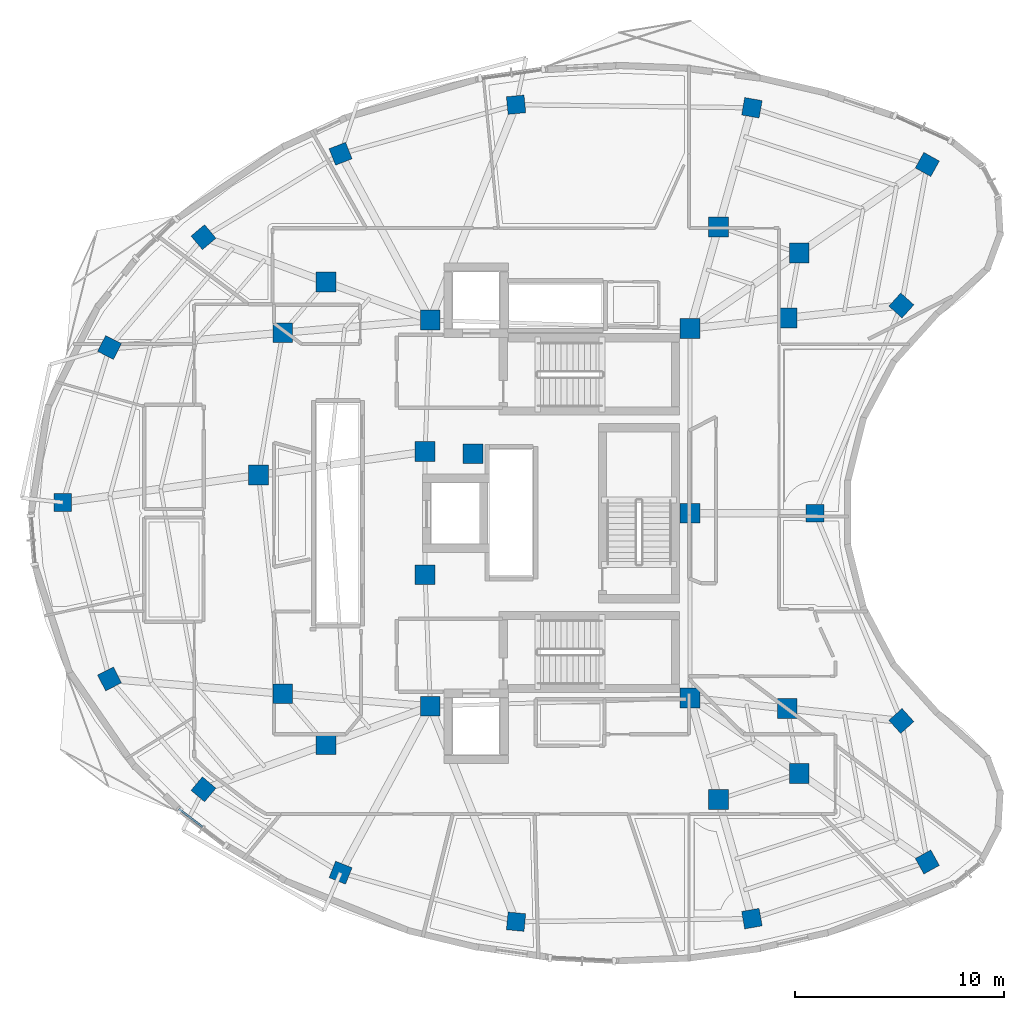
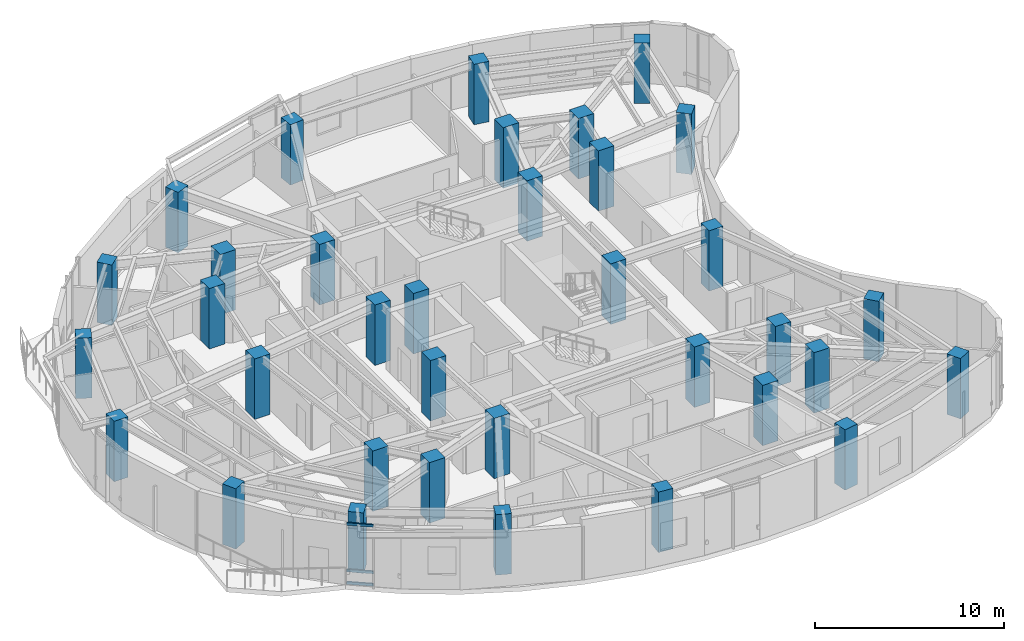
# One storey, part 1 of 14: 35 columns, 3 members, 1 element without a shape of its own.
"""IFC4 building model written with IfcOpenShell, lengths in metres."""

from ifc_helpers import new_model, si_unit, direction, frame, origin, origin_2d, place, context, subcontext, project, spatial, rectangle, extrude, material, layer, layer_set, material_profile, profile_set, type_object, element, aggregate, save


model = new_model("IFC4")

# Units and contexts
model_context = context("Model", 3, precision=1e-05, world=origin(), true_north=direction((0.0, 1.0)))
body_context = subcontext(model_context, "Body", "Model", "MODEL_VIEW")
ifc_project = project(units=[si_unit("LENGTHUNIT", "METRE"), si_unit("AREAUNIT", "SQUARE_METRE"), si_unit("VOLUMEUNIT", "CUBIC_METRE"), si_unit("PLANEANGLEUNIT", "RADIAN"), si_unit("MASSUNIT", "GRAM", prefix="KILO")], contexts=[model_context])

# Site, building, storey
site_placement = place(None, origin())
site = spatial("IfcSite", under=ifc_project, at=site_placement, CompositionType="ELEMENT")
building_placement = place(site_placement, origin())
building = spatial("IfcBuilding", under=site, at=building_placement, Name="Korentha Bioscience Tower", CompositionType="ELEMENT")
storey_placement = place(building_placement, frame((0.0, 0.0, 252.0)))
storey = spatial("IfcBuildingStorey", under=building, at=storey_placement, Name="L58", CompositionType="ELEMENT", Elevation=252.0)

# Columns
ifc_material_1 = material(Name="Concrete C65", Category="concrete")
ifc_material_profile_1 = material_profile(ifc_material_1, rectangle(XDim=0.949951171875, YDim=0.949951171875, at=origin_2d()), Name="Concrete C65")
ifc_profile_set_1 = profile_set([ifc_material_profile_1], Name="Concrete C65 (COL-CP09)")
column_type_1 = type_object("IfcColumnType", Name="Core Pilaster Column RC 950x950", PredefinedType="PILASTER", material=ifc_profile_set_1)
for number, where, z_axis, x_axis, name in (
    (1, (37.550048828125, 35.85009765625, -0.00048828125), (0.0, 0.0, 1.0), (1.0, 0.0, 0.0), "L58 Core Pilaster CP-01"),
    (2, (25.10009765625, 36.25, -0.00048828125), (0.0, 0.0, 1.0), (1.0, 0.0, 0.0), "L58 Core Pilaster CP-02"),
    (3, (24.85009765625, 29.949951171875, -0.00048828125), (0.0, 0.0, 1.0), (1.0, 0.0, 0.0), "L58 Core Pilaster CP-03"),
    (4, (27.14990234375, 29.85009765625, -0.00048828125), (0.0, 0.0, 1.0), (1.0, 0.0, 0.0), "L58 Core Pilaster CP-04"),
    (5, (24.85009765625, 24.050048828125, -0.00048828125), (0.0, 0.0, 1.0), (1.0, 0.0, 0.0), "L58 Core Pilaster CP-05"),
    (6, (25.10009765625, 17.75, -0.00048828125), (0.0, 0.0, 1.0), (1.0, 0.0, 0.0), "L58 Core Pilaster CP-06"),
    (7, (37.550048828125, 18.14990234375, -0.00048828125), (0.0, 0.0, 1.0), (1.0, 0.0, 0.0), "L58 Core Pilaster CP-07"),
    (8, (37.550048828125, 27.0, -0.00048828125), (0.0, 0.0, 1.0), (1.0, 0.0, 0.0), "L58 Core Pilaster CP-08"),
):
    element("IfcColumn", number, at=place(storey_placement, frame(where, z_axis=z_axis, x_axis=x_axis)), inside=storey, type_object=column_type_1, Name=name, PredefinedType="PILASTER", context=body_context, shape_type="SweptSolid", body=[
        extrude(rectangle(XDim=0.949951171875, YDim=0.949951171875, at=origin_2d()), origin(), (0.0, 0.0, 1.0), 3.90087890625),
    ])
ifc_material_profile_2 = material_profile(ifc_material_1, rectangle(XDim=0.949951171875, YDim=0.949951171875, at=origin_2d()), Name="Concrete C65")
ifc_profile_set_2 = profile_set([ifc_material_profile_2], Name="Concrete C65 (COL-MR09)")
column_type_2 = type_object("IfcColumnType", Name="Mid-Ring Lab Column RC 950x950", PredefinedType="COLUMN", material=ifc_profile_set_2)
for number, where, z_axis, x_axis, name in (
    (9, (42.77685546875, 39.464599609375, -0.00048828125), (0.0, 0.0, 1.0), (1.0, 0.0, 0.0), "L58 Mid-Ring Column 01"),
    (10, (38.9111328125, 40.714111328125, -0.00048828125), (0.0, 0.0, 1.0), (1.0, 0.0, 0.0), "L58 Mid-Ring Column 02"),
    (11, (20.102294921875, 38.07861328125, -0.00048828125), (0.0, 0.0, 1.0), (1.0, 0.0, 0.0), "L58 Mid-Ring Column 05"),
    (12, (18.03125, 35.6474609375, -0.00048828125), (0.0, 0.0, 1.0), (1.0, 0.0, 0.0), "L58 Mid-Ring Column 06"),
    (13, (16.868408203125, 28.830322265625, -0.00048828125), (0.0, 0.0, 1.0), (1.0, 0.0, 0.0), "L58 Mid-Ring Column 07"),
    (14, (18.03125, 18.3525390625, -0.00048828125), (0.0, 0.0, 1.0), (1.0, 0.0, 0.0), "L58 Mid-Ring Column 08"),
    (15, (20.102294921875, 15.92138671875, -0.00048828125), (0.0, 0.0, 1.0), (1.0, 0.0, 0.0), "L58 Mid-Ring Column 09"),
    (16, (38.9111328125, 13.285888671875, -0.00048828125), (0.0, 0.0, 1.0), (1.0, 0.0, 0.0), "L58 Mid-Ring Column 12"),
    (17, (42.77685546875, 14.535400390625, -0.00048828125), (0.0, 0.0, 1.0), (1.0, 0.0, 0.0), "L58 Mid-Ring Column 13"),
    (18, (42.205078125, 17.642822265625, -0.00048828125), (0.0, 0.0, 1.0), (1.0, 0.0, 0.0), "L58 Mid-Ring Column 14"),
    (19, (42.205078125, 36.357177734375, -0.00048828125), (0.0, 0.0, 1.0), (1.0, 0.0, 0.0), "L58 Mid-Ring Column 16"),
):
    element("IfcColumn", number, at=place(storey_placement, frame(where, z_axis=z_axis, x_axis=x_axis)), inside=storey, type_object=column_type_2, Name=name, PredefinedType="COLUMN", context=body_context, shape_type="SweptSolid", body=[
        extrude(rectangle(XDim=0.949951171875, YDim=0.949951171875, at=origin_2d()), origin(), (0.0, 0.0, 1.0), 3.90087890625),
    ])
ifc_material_2 = material(Name="Concrete C50", Category="concrete")
ifc_material_profile_3 = material_profile(ifc_material_2, rectangle(XDim=0.85009765625, YDim=0.85009765625, at=origin_2d()), Name="Concrete C50")
ifc_profile_set_3 = profile_set([ifc_material_profile_3], Name="Concrete C50 (COL-P08)")
column_type_3 = type_object("IfcColumnType", Name="Perimeter Column RC 850x850", PredefinedType="COLUMN", material=ifc_profile_set_3)
for number, where, z_axis, x_axis, name in (
    (20, (48.912841796875, 43.707763671875, -0.00048828125), (0.0, 0.0, 1.0), (-0.874535078577, 0.484962262797, 0.0), "L58 Perimeter Column 01"),
    (21, (40.5087890625, 46.423828125, -0.00048828125), (0.0, 0.0, 1.0), (-0.984868307662, 0.173304404339, 0.0), "L58 Perimeter Column 02"),
    (22, (29.209716796875, 46.57080078125, -0.00048828125), (0.0, 0.0, 1.0), (0.995462868748, 0.095150811579, 0.0), "L58 Perimeter Column 03"),
    (23, (20.802978515625, 44.220458984375, -0.00048828125), (0.0, 0.0, 1.0), (0.930225540858, 0.366988341962, 0.0), "L58 Perimeter Column 04"),
    (24, (14.2353515625, 40.225341796875, -0.00048828125), (0.0, 0.0, 1.0), (0.764246456939, 0.644924300253, 0.0), "L58 Perimeter Column 05"),
    (25, (9.7333984375, 34.93994140625, -0.00048828125), (0.0, 0.0, 1.0), (0.453057191132, 0.891481453292, 0.0), "L58 Perimeter Column 06"),
    (26, (7.4990234375, 27.51611328125, -0.00048828125), (0.0, 0.0, 1.0), (0.0, 1.0, 0.0), "L58 Perimeter Column 07"),
    (27, (9.7333984375, 19.06005859375, -0.00048828125), (0.0, 0.0, 1.0), (-0.453057191132, 0.891481453292, 0.0), "L58 Perimeter Column 08"),
    (28, (14.2353515625, 13.774658203125, -0.00048828125), (0.0, 0.0, 1.0), (-0.764246456939, 0.644924300253, 0.0), "L58 Perimeter Column 09"),
    (29, (20.802978515625, 9.779541015625, -0.00048828125), (0.0, 0.0, 1.0), (-0.930225540858, 0.366988341962, 0.0), "L58 Perimeter Column 10"),
    (30, (29.209716796875, 7.42919921875, -0.00048828125), (0.0, 0.0, 1.0), (-0.995462868748, 0.095150811579, 0.0), "L58 Perimeter Column 11"),
    (31, (40.5087890625, 7.576171875, -0.00048828125), (0.0, 0.0, 1.0), (0.984868307662, 0.173304404339, 0.0), "L58 Perimeter Column 12"),
    (32, (48.912841796875, 10.292236328125, -0.00048828125), (0.0, 0.0, 1.0), (0.874535078577, 0.484962262797, 0.0), "L58 Perimeter Column 13"),
    (33, (47.669921875, 17.04736328125, -0.00048828125), (0.0, 0.0, 1.0), (-0.669130606359, 0.743144825477, 0.0), "L58 Perimeter Column 14"),
    (34, (43.536865234375, 27.0, -0.00048828125), (0.0, 0.0, 1.0), (0.0, 1.0, 0.0), "L58 Perimeter Column 15"),
    (35, (47.669921875, 36.95263671875, -0.00048828125), (0.0, 0.0, 1.0), (0.669130606359, 0.743144825477, 0.0), "L58 Perimeter Column 16"),
):
    element("IfcColumn", number, at=place(storey_placement, frame(where, z_axis=z_axis, x_axis=x_axis)), inside=storey, type_object=column_type_3, Name=name, PredefinedType="COLUMN", context=body_context, shape_type="SweptSolid", body=[
        extrude(rectangle(XDim=0.85009765625, YDim=0.85009765625, at=origin_2d()), origin(), (0.0, 0.0, 1.0), 3.90087890625),
    ])

# Curtain wall, members
ifc_material_3 = material(Name="Thermally Broken Aluminium Frame", Category="aluminium")
ifc_layer = layer(ifc_material_3, 0.219970703125, Name="Thermally Broken Aluminium Frame")
ifc_layer_set = layer_set([ifc_layer], Name="Thermally Broken Aluminium Frame (CW-T2)")
curtain_wall_type = type_object("IfcCurtainWallType", Name="Solar-Screened Lab Unitised Curtain Wall CW-T2", PredefinedType="USERDEFINED", material=ifc_layer_set)
curtain_wall_placement = place(storey_placement, origin())
curtain_wall = element("IfcCurtainWall", 36, at=curtain_wall_placement, inside=storey, type_object=curtain_wall_type, Name="L58 Curtain Wall 25", ObjectType="UNITISED", PredefinedType="USERDEFINED")
ifc_material_4 = material(Name="Anodised Aluminium 6063-T6", Category="aluminium")
ifc_material_profile_4 = material_profile(ifc_material_4, rectangle(XDim=0.090087890625, YDim=0.159912109375, at=origin_2d()), Name="Anodised Aluminium 6063-T6")
ifc_profile_set_4 = profile_set([ifc_material_profile_4], Name="Anodised Aluminium 6063-T6 (CW-TRN)")
member_type = type_object("IfcMemberType", Name="Transom RECT 90x160", PredefinedType="USERDEFINED", material=ifc_profile_set_4)
member_1_placement = place(storey_placement, frame((13.06005859375, 12.835205078125, 0.044921875), z_axis=(0.794421209833, -0.607367221183, 0.0), x_axis=(0.607367221183, 0.794421209833, 0.0)))
member_1 = element("IfcMember", 37, at=member_1_placement, type_object=member_type, Name="CW-L58-25 Bay 1 Transom 1", ObjectType="TRANSOM", PredefinedType="USERDEFINED", context=body_context, shape_type="SweptSolid", body=[
    extrude(rectangle(XDim=0.090087890625, YDim=0.159912109375, at=origin_2d()), origin(), (0.0, 0.0, 1.0), 1.42138671875),
])
member_2_placement = place(storey_placement, frame((13.06005859375, 12.835205078125, 0.85009765625), z_axis=(0.794421209833, -0.607367221183, 0.0), x_axis=(0.607367221183, 0.794421209833, 0.0)))
member_2 = element("IfcMember", 38, at=member_2_placement, type_object=member_type, Name="CW-L58-25 Bay 1 Transom 2", ObjectType="TRANSOM", PredefinedType="USERDEFINED", context=body_context, shape_type="SweptSolid", body=[
    extrude(rectangle(XDim=0.090087890625, YDim=0.159912109375, at=origin_2d()), origin(), (0.0, 0.0, 1.0), 1.42138671875),
])
member_3_placement = place(storey_placement, frame((13.06005859375, 12.835205078125, 3.85498046875), z_axis=(0.794421209833, -0.607367221183, 0.0), x_axis=(0.607367221183, 0.794421209833, 0.0)))
member_3 = element("IfcMember", 39, at=member_3_placement, type_object=member_type, Name="CW-L58-25 Bay 1 Transom 3", ObjectType="TRANSOM", PredefinedType="USERDEFINED", context=body_context, shape_type="SweptSolid", body=[
    extrude(rectangle(XDim=0.090087890625, YDim=0.159912109375, at=origin_2d()), origin(), (0.0, 0.0, 1.0), 1.42138671875),
])
aggregate(curtain_wall, [member_1, member_2, member_3])

save(model, "model.ifc")
